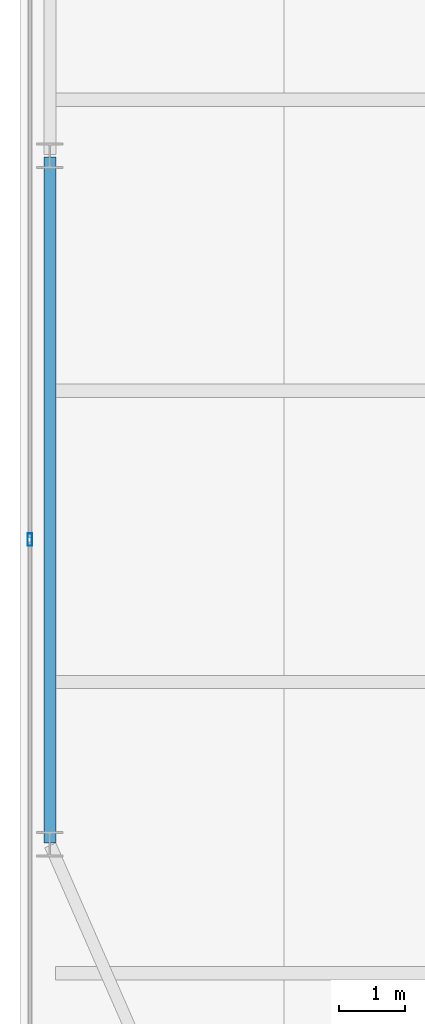
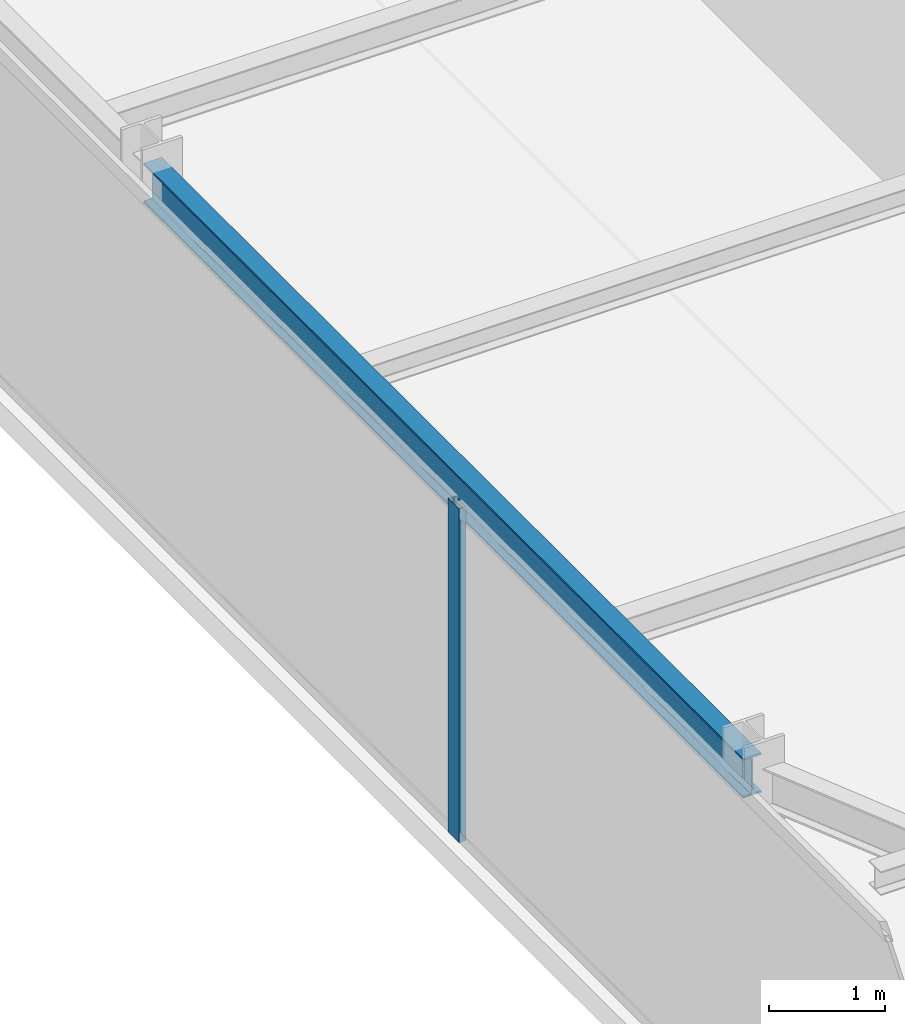
# One storey, part 8 of 31: 1 beam, 1 member, 1 element without a shape of its own.
"""IFC4 building model written with IfcOpenShell, lengths in metres."""

from ifc_helpers import new_model, si_unit, direction, frame, origin, origin_2d, place, context, subcontext, project, spatial, hollow_rectangle, i_section, extrude, source, transform, mapped, material, layer, layer_set, material_profile, profile_set, type_object, type_shapes, element, aggregate, save


model = new_model("IFC4")

# Units and contexts
model_context = context("Model", 3, precision=1e-05, world=origin(), true_north=direction((0.0, 1.0)))
body_context = subcontext(model_context, "Body", "Model", "MODEL_VIEW")
ifc_project = project(units=[si_unit("LENGTHUNIT", "METRE"), si_unit("AREAUNIT", "SQUARE_METRE"), si_unit("VOLUMEUNIT", "CUBIC_METRE"), si_unit("PLANEANGLEUNIT", "RADIAN"), si_unit("MASSUNIT", "GRAM", prefix="KILO")], contexts=[model_context])

# Site, building, storey
site_placement = place(None, origin())
site = spatial("IfcSite", under=ifc_project, at=site_placement, CompositionType="ELEMENT")
building_placement = place(site_placement, origin())
building = spatial("IfcBuilding", under=site, at=building_placement, Name="Varnel Quay Broadcast Tower", CompositionType="ELEMENT")
storey_placement = place(building_placement, frame((0.0, 0.0, 94.60009765625)))
storey = spatial("IfcBuildingStorey", under=building, at=storey_placement, Name="L22", CompositionType="ELEMENT", Elevation=94.60009765625)

# Beam
ifc_material_1 = material(Name="Structural Steel CSA G40.21 350W", Category="steel")
ifc_material_profile_1 = material_profile(ifc_material_1, i_section(OverallWidth=0.180908203125, OverallDepth=0.4169921875, WebThickness=0.010986328125, FlangeThickness=0.018310546875, FilletRadius=0.011962890625, at=origin_2d()), Name="W410X85")
ifc_profile_set_1 = profile_set([ifc_material_profile_1], Name="Structural Steel CSA G40.21 350W")
beam_type = type_object("IfcBeamType", Name="Beam_W410X85", PredefinedType="SPANDREL", material=ifc_profile_set_1)
shared_shape_1 = source(origin(), body_context, "Body", "SweptSolid", [
    extrude(i_section(OverallWidth=0.180908203125, OverallDepth=0.4169921875, WebThickness=0.010986328125, FlangeThickness=0.018310546875, FilletRadius=0.011962890625, at=origin_2d()), origin(), (0.0, 0.0, 1.0), 10.35986328125),
])
type_shapes(beam_type, [shared_shape_1])
beam_placement = place(storey_placement, frame((4.949951171875, 15.02001953125, 3.3115234375), z_axis=(0.0, 1.0, 0.0), x_axis=(-1.0, 0.0, 0.0)))
element("IfcBeam", 1, at=beam_placement, inside=storey, type_object=beam_type, Name="L22 West Spandrel TC-W1-TC-W2", PredefinedType="SPANDREL", context=body_context, shape_type="MappedRepresentation", body=[
    mapped(shared_shape_1, transform((0.0, 0.0, 0.0), x_axis=(1.0, 0.0, 0.0), y_axis=(0.0, 1.0, 0.0), z_axis=(0.0, 0.0, 1.0), scale=1.0)),
])

# Curtain wall, member
ifc_material_2 = material(Name="Anodised Bronze Aluminium 6063-T6", Category="aluminium")
ifc_layer = layer(ifc_material_2, 0.18994140625, Name="Anodised Bronze Aluminium 6063-T6")
ifc_layer_set = layer_set([ifc_layer], Name="Anodised Bronze Aluminium 6063-T6")
curtain_wall_type = type_object("IfcCurtainWallType", Name="CW_LowerTower", PredefinedType="NOTDEFINED", material=ifc_layer_set)
curtain_wall_placement = place(storey_placement, origin())
curtain_wall = element("IfcCurtainWall", 2, at=curtain_wall_placement, inside=storey, type_object=curtain_wall_type, Name="L22 West Unitised Curtain Wall", PredefinedType="NOTDEFINED")
ifc_material_profile_2 = material_profile(ifc_material_2, hollow_rectangle(XDim=0.070068359375, YDim=0.18994140625, WallThickness=0.00390625, at=origin_2d()), Name="ALU70X190X4")
ifc_profile_set_2 = profile_set([ifc_material_profile_2], Name="Anodised Bronze Aluminium 6063-T6")
member_type = type_object("IfcMemberType", Name="Mull_CWS-02", PredefinedType="MULLION", material=ifc_profile_set_2)
shared_shape_2 = source(origin(), body_context, "Body", "SweptSolid", [
    extrude(hollow_rectangle(XDim=0.070068359375, YDim=0.18994140625, WallThickness=0.00390625, at=origin_2d()), origin(), (0.0, 0.0, 1.0), 3.52001953125),
])
type_shapes(member_type, [shared_shape_2])
member_placement = place(storey_placement, frame((4.64990234375, 19.60009765625, 0.0), z_axis=(0.0, 0.0, 1.0), x_axis=(-1.0, 0.0, 0.0)))
member = element("IfcMember", 3, at=member_placement, type_object=member_type, Name="CWS-02 mullion 2", PredefinedType="MULLION", context=body_context, shape_type="MappedRepresentation", body=[
    mapped(shared_shape_2, transform((0.0, 0.0, 0.0), x_axis=(1.0, 0.0, 0.0), y_axis=(0.0, 1.0, 0.0), z_axis=(0.0, 0.0, 1.0), scale=1.0)),
])
aggregate(curtain_wall, [member])

save(model, "model.ifc")
